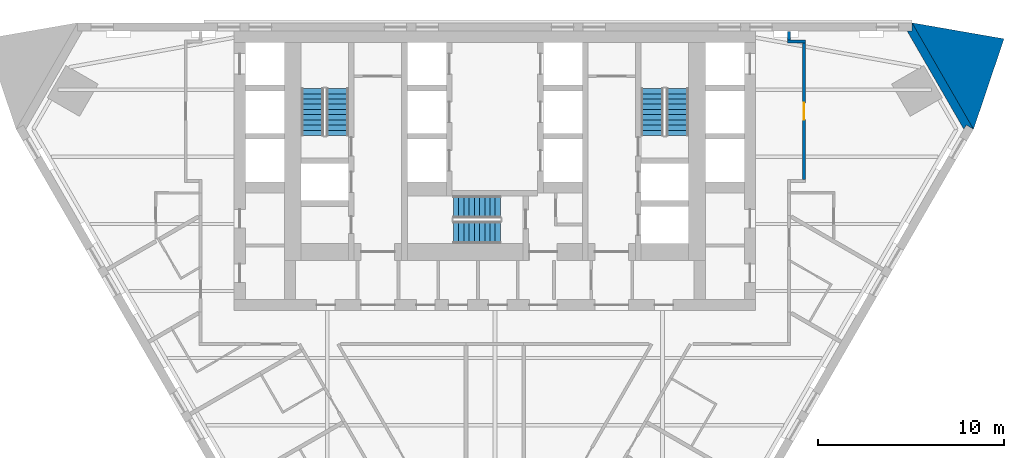
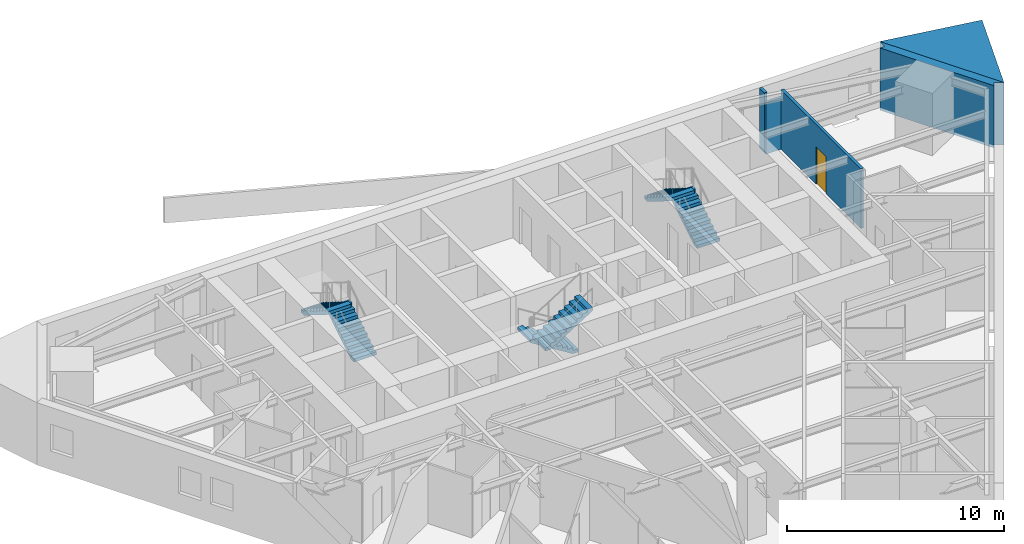
# One storey, part 8 of 11: 6 stair flights, 5 walls, 1 door, 1 opening, 3 elements without a shape of their own.
"""IFC4 building model written with IfcOpenShell, lengths in metres."""

from ifc_helpers import new_model, si_unit, direction, frame, frame_2d, origin, place, context, subcontext, project, spatial, polyline, rectangle, outline, extrude, material, layer, layer_set, type_object, element, fill, aggregate, save


model = new_model("IFC4")

# Units and contexts
model_context = context("Model", 3, precision=1e-05, world=origin(), true_north=direction((0.0, 1.0)))
body_context = subcontext(model_context, "Body", "Model", "MODEL_VIEW")
ifc_project = project(units=[si_unit("LENGTHUNIT", "METRE"), si_unit("AREAUNIT", "SQUARE_METRE"), si_unit("VOLUMEUNIT", "CUBIC_METRE"), si_unit("PLANEANGLEUNIT", "RADIAN"), si_unit("MASSUNIT", "GRAM", prefix="KILO")], contexts=[model_context])

# Site, building, storey
site_placement = place(None, origin())
site = spatial("IfcSite", under=ifc_project, at=site_placement, CompositionType="ELEMENT")
building_placement = place(site_placement, origin())
building = spatial("IfcBuilding", under=site, at=building_placement, Name="Aloe Facet Convention Tower", CompositionType="ELEMENT")
storey_placement = place(building_placement, frame((0.0, 0.0, 38.5)))
storey = spatial("IfcBuildingStorey", under=building, at=storey_placement, Name="L07", CompositionType="ELEMENT", Elevation=38.5)

# Walls
ifc_material_1 = material(Name="Precast concrete C40/50", Category="concrete")
ifc_layer_1 = layer(ifc_material_1, 0.449951171875)
ifc_layer_set_1 = layer_set([ifc_layer_1], Name="EV-WALL-PIER")
wall_type_1 = type_object("IfcWallType", Name="EV-WALL-PIER", PredefinedType="SOLIDWALL", material=ifc_layer_set_1)
wall_1_placement = place(storey_placement, frame((0.0, 0.0, -0.14990234375)))
element("IfcWall", 1, at=wall_1_placement, inside=storey, type_object=wall_type_1, Name="EP-L07-C", PredefinedType="SOLIDWALL", context=body_context, shape_type="SweptSolid", body=[
    extrude(outline(polyline([(105.699951171875, 129.2841796875), (105.310302734375, 129.50927734375), (105.180419921875, 129.2841796875), (102.14013671875, 134.550048828125), (102.39990234375, 134.550048828125), (102.39990234375, 135.0), (105.699951171875, 129.2841796875)])), origin(), (0.0, 0.0, 1.0), 3.5),
])
ifc_material_2 = material(Name="Precast concrete C40/50", Category="concrete")
ifc_layer_2 = layer(ifc_material_2, 3.947998046875)
ifc_layer_set_2 = layer_set([ifc_layer_2], Name="EV-WALL-SPINE")
wall_type_2 = type_object("IfcWallType", Name="EV-WALL-SPINE", PredefinedType="SOLIDWALL", material=ifc_layer_set_2)
wall_2_placement = place(storey_placement, frame((0.0, 0.0, -0.14990234375)))
element("IfcWall", 2, at=wall_2_placement, inside=storey, type_object=wall_type_2, Name="SP-NE-L07", PredefinedType="SOLIDWALL", context=body_context, shape_type="SweptSolid", body=[
    extrude(outline(polyline([(105.699951171875, 129.2841796875), (107.33642578125, 134.14013671875), (102.39990234375, 135.0), (105.699951171875, 129.2841796875)])), origin(), (0.0, 0.0, 1.0), 3.5),
])
ifc_material_3 = material(Name="Gypsum board partition on steel studs", Category="steel")
ifc_layer_3 = layer(ifc_material_3, 0.14990234375)
ifc_layer_set_3 = layer_set([ifc_layer_3], Name="IN-W-CORR")
wall_type_3 = type_object("IfcWallType", Name="IN-W-CORR", PredefinedType="PARTITIONING", material=ifc_layer_set_3)
wall_3_placement = place(storey_placement, frame((95.72509765625, 134.0, 0.0), z_axis=(0.0, 0.0, 1.0), x_axis=(1.0, 0.0, 0.0)))
element("IfcWall", 3, at=wall_3_placement, inside=storey, type_object=wall_type_3, Name="Partition L07-W107", PredefinedType="PARTITIONING", context=body_context, shape_type="SweptSolid", body=[
    extrude(rectangle(XDim=0.949462890625, YDim=0.14990234375, at=frame_2d((0.474609375, 0.0))), origin(), (0.0, 0.0, 1.0), 2.88671875),
])

# Wall, opening, door
wall_4_placement = place(storey_placement, frame((96.599609375, 133.925048828125, 0.0), z_axis=(0.0, 0.0, 1.0), x_axis=(6.643194e-05, -0.999999997793, 0.0)))
wall_4 = element("IfcWall", 4, at=wall_4_placement, inside=storey, type_object=wall_type_3, Name="Partition L07-W108", PredefinedType="PARTITIONING", context=body_context, shape_type="SweptSolid", body=[
    extrude(rectangle(XDim=7.35009765625, YDim=0.14990234375, at=frame_2d((3.675048828125, 0.0))), origin(), (0.0, 0.0, 1.0), 3.35009765625),
])
opening_placement = place(wall_4_placement, frame((3.22509765625, 0.0, 0.0)))
opening = element("IfcOpeningElement", 5, at=opening_placement, cuts=wall_4, Name="Opening L07-001", PredefinedType="OPENING", context=body_context, shape_type="SweptSolid", body=[
    extrude(rectangle(XDim=0.89990234375, YDim=2.10009765625, at=frame_2d((0.449951171875, 1.050048828125))), frame((0.0, 0.0849609375, 0.0), z_axis=(0.0, -1.0, 0.0), x_axis=(1.0, 0.0, 0.0)), (0.0, 0.0, 1.0), 0.169921875),
])
ifc_material_4 = material(Name="Hardwood flush door FD30S", Category="wood")
door_type = type_object("IfcDoorType", Name="IN-D-GUEST", OperationType="SINGLE_SWING_LEFT", PredefinedType="DOOR", material=ifc_material_4)
door_placement = place(opening_placement, origin())
door = element("IfcDoor", 6, at=door_placement, inside=storey, type_object=door_type, Name="Door L07-001", OperationType="SINGLE_SWING_LEFT", OverallHeight=2.10009765625, OverallWidth=0.89990234375, PredefinedType="DOOR", context=body_context, shape_type="SweptSolid", body=[
    extrude(rectangle(XDim=0.89990234375, YDim=2.10009765625, at=frame_2d((0.449951171875, 1.050048828125))), frame((0.0, 0.02490234375, 0.0), z_axis=(0.0, -1.0, 0.0), x_axis=(1.0, 0.0, 0.0)), (0.0, 0.0, 1.0), 0.050048828125),
])
fill(opening, door)

# Wall
wall_5_placement = place(storey_placement, frame((95.800048828125, 134.074951171875, 0.0), z_axis=(0.0, 0.0, 1.0), x_axis=(0.0, 1.0, 0.0)))
element("IfcWall", 7, at=wall_5_placement, inside=storey, type_object=wall_type_3, Name="Partition L07-W109", PredefinedType="PARTITIONING", context=body_context, shape_type="SweptSolid", body=[
    extrude(rectangle(XDim=0.465087890625, YDim=0.14990234375, at=frame_2d((0.232421875, 0.0))), origin(), (0.0, 0.0, 1.0), 3.35009765625),
])

# Stair, stair flights
ifc_material_5 = material(Name="Concrete C50/60", Category="concrete")
stair_type = type_object("IfcStairType", Name="CR-ST-20R", PredefinedType="HALF_TURN_STAIR", material=ifc_material_5)
stair_1_placement = place(storey_placement, origin())
stair_1 = element("IfcStair", 8, at=stair_1_placement, inside=storey, type_object=stair_type, Name="L07 Protected exit stair ST1", PredefinedType="HALF_TURN_STAIR")
ifc_material_6 = material(Name="Concrete C50/60", Category="concrete")
stair_flight_type = type_object("IfcStairFlightType", Name="CR-SFL-20R", PredefinedType="STRAIGHT", material=ifc_material_6)
stair_flight_1_placement = place(storey_placement, frame((71.550048828125, 128.949951171875, 0.0), z_axis=(0.0, 0.0, 1.0), x_axis=(0.0, 1.0, 0.0)))
stair_flight_1 = element("IfcStairFlight", 9, at=stair_flight_1_placement, type_object=stair_flight_type, Name="ST1 flight 1", NumberOfRisers=10, NumberOfTreads=9, PredefinedType="STRAIGHT", RiserHeight=0.175, TreadLength=0.28, context=body_context, shape_type="SweptSolid", body=[
    extrude(outline(polyline([(0.0, 0.0), (0.0, 0.175048828125), (0.280029296875, 0.175048828125), (0.280029296875, 0.35009765625), (0.56005859375, 0.35009765625), (0.56005859375, 0.52490234375), (0.840087890625, 0.52490234375), (0.840087890625, 0.699951171875), (1.1201171875, 0.699951171875), (1.1201171875, 0.875), (1.39990234375, 0.875), (1.39990234375, 1.050048828125), (1.679931640625, 1.050048828125), (1.679931640625, 1.22509765625), (1.9599609375, 1.22509765625), (1.9599609375, 1.39990234375), (2.239990234375, 1.39990234375), (2.239990234375, 1.574951171875), (2.52001953125, 1.574951171875), (2.52001953125, 1.75), (2.52001953125, 1.398193359375), (0.28271484375, 0.0), (0.0, 0.0)])), frame((0.0, 0.60009765625, 0.0), z_axis=(0.0, -1.0, 0.0), x_axis=(1.0, 0.0, 0.0)), (0.0, 0.0, 1.0), 1.199951171875),
])
stair_flight_2_placement = place(storey_placement, frame((70.199951171875, 131.469970703125, 1.75), z_axis=(0.0, 0.0, 1.0), x_axis=(0.0, -1.0, 0.0)))
stair_flight_2 = element("IfcStairFlight", 10, at=stair_flight_2_placement, type_object=stair_flight_type, Name="ST1 flight 2", NumberOfRisers=10, NumberOfTreads=9, PredefinedType="STRAIGHT", RiserHeight=0.175, TreadLength=0.28, context=body_context, shape_type="SweptSolid", body=[
    extrude(outline(polyline([(0.0, 0.0), (0.0, 0.175048828125), (0.280029296875, 0.175048828125), (0.280029296875, 0.35009765625), (0.56005859375, 0.35009765625), (0.56005859375, 0.52490234375), (0.840087890625, 0.52490234375), (0.840087890625, 0.699951171875), (1.1201171875, 0.699951171875), (1.1201171875, 0.875), (1.39990234375, 0.875), (1.39990234375, 1.050048828125), (1.679931640625, 1.050048828125), (1.679931640625, 1.22509765625), (1.9599609375, 1.22509765625), (1.9599609375, 1.39990234375), (2.239990234375, 1.39990234375), (2.239990234375, 1.574951171875), (2.52001953125, 1.574951171875), (2.52001953125, 1.75), (2.52001953125, 1.398193359375), (0.28271484375, 0.0), (0.0, 0.0)])), frame((0.0, 0.60009765625, 0.0), z_axis=(0.0, -1.0, 0.0), x_axis=(1.0, 0.0, 0.0)), (0.0, 0.0, 1.0), 1.199951171875),
])
aggregate(stair_1, [stair_flight_1, stair_flight_2])

stair_2_placement = place(storey_placement, origin())
stair_2 = element("IfcStair", 11, at=stair_2_placement, inside=storey, type_object=stair_type, Name="L07 Protected exit stair ST2", PredefinedType="HALF_TURN_STAIR")
stair_flight_3_placement = place(storey_placement, frame((89.800048828125, 128.949951171875, 0.0), z_axis=(0.0, 0.0, 1.0), x_axis=(0.0, 1.0, 0.0)))
stair_flight_3 = element("IfcStairFlight", 12, at=stair_flight_3_placement, type_object=stair_flight_type, Name="ST2 flight 1", NumberOfRisers=10, NumberOfTreads=9, PredefinedType="STRAIGHT", RiserHeight=0.175, TreadLength=0.28, context=body_context, shape_type="SweptSolid", body=[
    extrude(outline(polyline([(0.0, 0.0), (0.0, 0.175048828125), (0.280029296875, 0.175048828125), (0.280029296875, 0.35009765625), (0.56005859375, 0.35009765625), (0.56005859375, 0.52490234375), (0.840087890625, 0.52490234375), (0.840087890625, 0.699951171875), (1.1201171875, 0.699951171875), (1.1201171875, 0.875), (1.39990234375, 0.875), (1.39990234375, 1.050048828125), (1.679931640625, 1.050048828125), (1.679931640625, 1.22509765625), (1.9599609375, 1.22509765625), (1.9599609375, 1.39990234375), (2.239990234375, 1.39990234375), (2.239990234375, 1.574951171875), (2.52001953125, 1.574951171875), (2.52001953125, 1.75), (2.52001953125, 1.398193359375), (0.28271484375, 0.0), (0.0, 0.0)])), frame((0.0, 0.60009765625, 0.0), z_axis=(0.0, -1.0, 0.0), x_axis=(1.0, 0.0, 0.0)), (0.0, 0.0, 1.0), 1.199951171875),
])
stair_flight_4_placement = place(storey_placement, frame((88.449951171875, 131.469970703125, 1.75), z_axis=(0.0, 0.0, 1.0), x_axis=(0.0, -1.0, 0.0)))
stair_flight_4 = element("IfcStairFlight", 13, at=stair_flight_4_placement, type_object=stair_flight_type, Name="ST2 flight 2", NumberOfRisers=10, NumberOfTreads=9, PredefinedType="STRAIGHT", RiserHeight=0.175, TreadLength=0.28, context=body_context, shape_type="SweptSolid", body=[
    extrude(outline(polyline([(0.0, 0.0), (0.0, 0.175048828125), (0.280029296875, 0.175048828125), (0.280029296875, 0.35009765625), (0.56005859375, 0.35009765625), (0.56005859375, 0.52490234375), (0.840087890625, 0.52490234375), (0.840087890625, 0.699951171875), (1.1201171875, 0.699951171875), (1.1201171875, 0.875), (1.39990234375, 0.875), (1.39990234375, 1.050048828125), (1.679931640625, 1.050048828125), (1.679931640625, 1.22509765625), (1.9599609375, 1.22509765625), (1.9599609375, 1.39990234375), (2.239990234375, 1.39990234375), (2.239990234375, 1.574951171875), (2.52001953125, 1.574951171875), (2.52001953125, 1.75), (2.52001953125, 1.398193359375), (0.28271484375, 0.0), (0.0, 0.0)])), frame((0.0, 0.60009765625, 0.0), z_axis=(0.0, -1.0, 0.0), x_axis=(1.0, 0.0, 0.0)), (0.0, 0.0, 1.0), 1.199951171875),
])
aggregate(stair_2, [stair_flight_3, stair_flight_4])

stair_3_placement = place(storey_placement, origin())
stair_3 = element("IfcStair", 14, at=stair_3_placement, inside=storey, type_object=stair_type, Name="L07 Protected exit stair ST3", PredefinedType="HALF_TURN_STAIR")
stair_flight_5_placement = place(storey_placement, frame((80.300048828125, 125.10009765625, 0.0), z_axis=(0.0, 0.0, 1.0), x_axis=(-1.0, 0.0, 0.0)))
stair_flight_5 = element("IfcStairFlight", 15, at=stair_flight_5_placement, type_object=stair_flight_type, Name="ST3 flight 1", NumberOfRisers=10, NumberOfTreads=9, PredefinedType="STRAIGHT", RiserHeight=0.175, TreadLength=0.28, context=body_context, shape_type="SweptSolid", body=[
    extrude(outline(polyline([(0.0, 0.0), (0.0, 0.175048828125), (0.280029296875, 0.175048828125), (0.280029296875, 0.35009765625), (0.56005859375, 0.35009765625), (0.56005859375, 0.52490234375), (0.840087890625, 0.52490234375), (0.840087890625, 0.699951171875), (1.1201171875, 0.699951171875), (1.1201171875, 0.875), (1.39990234375, 0.875), (1.39990234375, 1.050048828125), (1.679931640625, 1.050048828125), (1.679931640625, 1.22509765625), (1.9599609375, 1.22509765625), (1.9599609375, 1.39990234375), (2.239990234375, 1.39990234375), (2.239990234375, 1.574951171875), (2.52001953125, 1.574951171875), (2.52001953125, 1.75), (2.52001953125, 1.398193359375), (0.28271484375, 0.0), (0.0, 0.0)])), frame((0.0, 0.60009765625, 0.0), z_axis=(0.0, -1.0, 0.0), x_axis=(1.0, 0.0, 0.0)), (0.0, 0.0, 1.0), 1.199951171875),
])
stair_flight_6_placement = place(storey_placement, frame((77.780029296875, 123.75, 1.75), z_axis=(0.0, 0.0, 1.0), x_axis=(1.0, 0.0, 0.0)))
stair_flight_6 = element("IfcStairFlight", 16, at=stair_flight_6_placement, type_object=stair_flight_type, Name="ST3 flight 2", NumberOfRisers=10, NumberOfTreads=9, PredefinedType="STRAIGHT", RiserHeight=0.175, TreadLength=0.28, context=body_context, shape_type="SweptSolid", body=[
    extrude(outline(polyline([(0.0, 0.0), (0.0, 0.175048828125), (0.280029296875, 0.175048828125), (0.280029296875, 0.35009765625), (0.56005859375, 0.35009765625), (0.56005859375, 0.52490234375), (0.840087890625, 0.52490234375), (0.840087890625, 0.699951171875), (1.1201171875, 0.699951171875), (1.1201171875, 0.875), (1.39990234375, 0.875), (1.39990234375, 1.050048828125), (1.679931640625, 1.050048828125), (1.679931640625, 1.22509765625), (1.9599609375, 1.22509765625), (1.9599609375, 1.39990234375), (2.239990234375, 1.39990234375), (2.239990234375, 1.574951171875), (2.52001953125, 1.574951171875), (2.52001953125, 1.75), (2.52001953125, 1.398193359375), (0.28271484375, 0.0), (0.0, 0.0)])), frame((0.0, 0.60009765625, 0.0), z_axis=(0.0, -1.0, 0.0), x_axis=(1.0, 0.0, 0.0)), (0.0, 0.0, 1.0), 1.199951171875),
])
aggregate(stair_3, [stair_flight_5, stair_flight_6])

save(model, "model.ifc")
